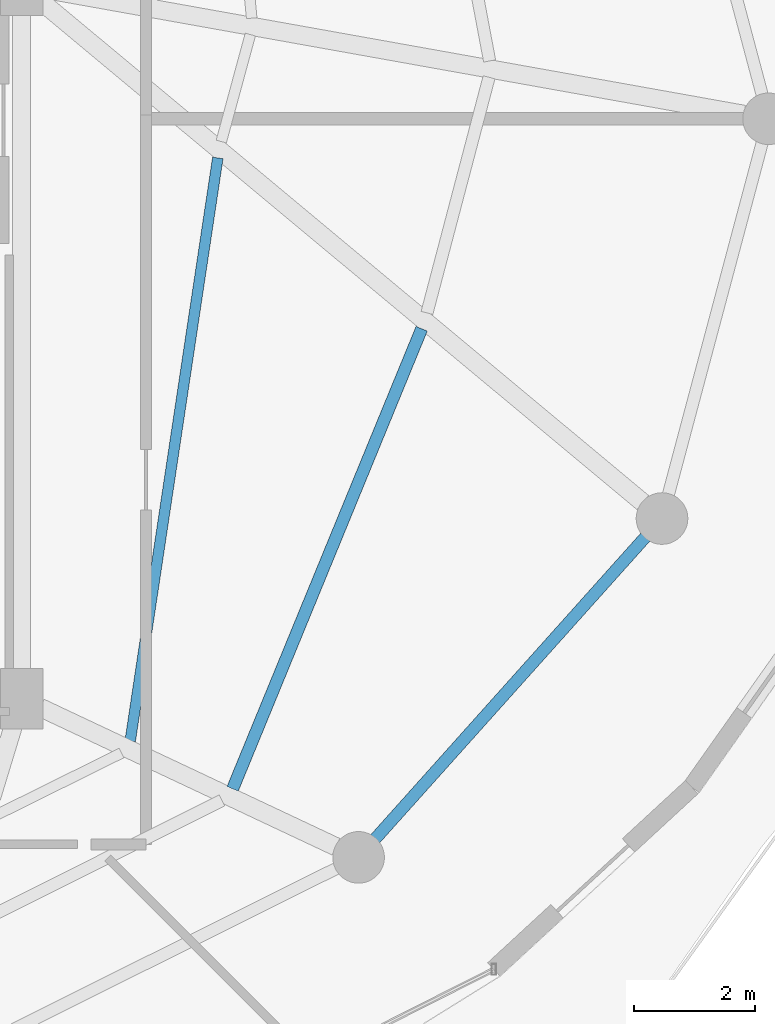
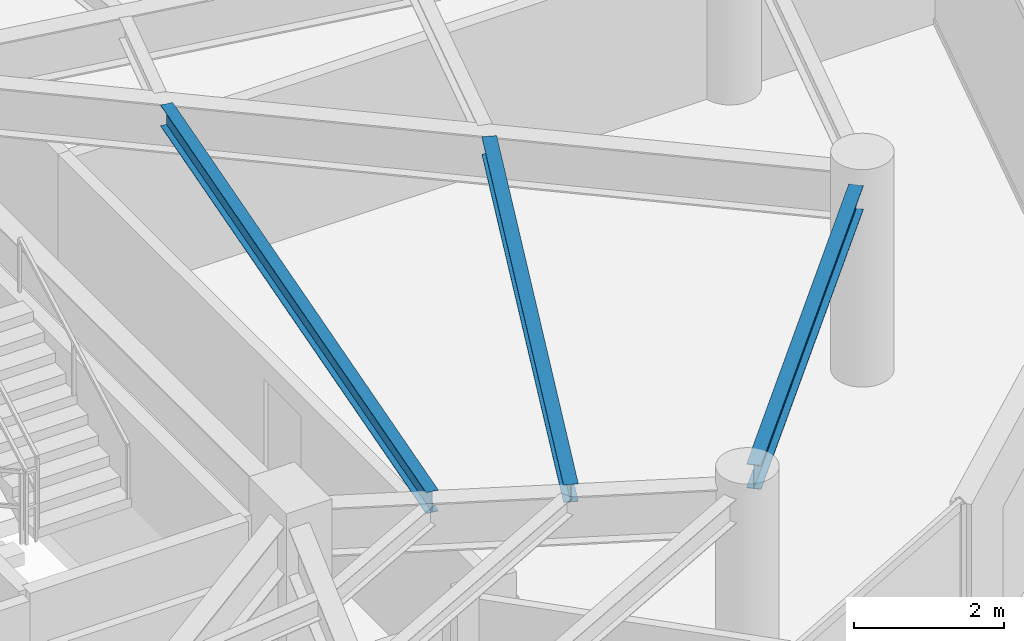
# One storey, part 12 of 29: 3 beams.
"""IFC4 building model written with IfcOpenShell, lengths in metres."""

from ifc_helpers import new_model, si_unit, direction, frame, origin, origin_2d, place, context, subcontext, project, spatial, i_section, extrude, material, material_profile, profile_set, type_object, element, save


model = new_model("IFC4")

# Units and contexts
model_context = context("Model", 3, precision=1e-05, world=origin(), true_north=direction((0.0, 1.0)))
body_context = subcontext(model_context, "Body", "Model", "MODEL_VIEW")
ifc_project = project(units=[si_unit("LENGTHUNIT", "METRE"), si_unit("AREAUNIT", "SQUARE_METRE"), si_unit("VOLUMEUNIT", "CUBIC_METRE"), si_unit("PLANEANGLEUNIT", "RADIAN"), si_unit("MASSUNIT", "GRAM", prefix="KILO")], contexts=[model_context])

# Site, building, storey
site_placement = place(None, origin())
site = spatial("IfcSite", under=ifc_project, at=site_placement, CompositionType="ELEMENT")
building_placement = place(site_placement, origin())
building = spatial("IfcBuilding", under=site, at=building_placement, Name="Vorneva Point Tower", CompositionType="ELEMENT")
storey_placement = place(building_placement, frame((0.0, 0.0, 273.300048828125)))
storey = spatial("IfcBuildingStorey", under=building, at=storey_placement, Name="L74", CompositionType="ELEMENT", Elevation=273.300048828125)

# Beams
ifc_material = material(Name="Steel S355", Category="steel")
ifc_material_profile_1 = material_profile(ifc_material, i_section(OverallWidth=0.199951171875, OverallDepth=0.291015625, WebThickness=0.008056640625, FlangeThickness=0.010986328125, at=origin_2d()), Name="30Sh1")
ifc_profile_set_1 = profile_set([ifc_material_profile_1], Name="Steel S355")
beam_type_1 = type_object("IfcBeamType", Name="BM-SEC-30Sh1", PredefinedType="BEAM", material=ifc_profile_set_1)
beam_1_placement = place(storey_placement, frame((52.22509765625, 14.96630859375, 3.14453125), z_axis=(0.380013584787, 0.924980905412, 0.0), x_axis=(-0.924980905412, 0.380013584787, 0.0)))
element("IfcBeam", 1, at=beam_1_placement, inside=storey, type_object=beam_type_1, Name="L74 Secondary Floor Beam 1.15", PredefinedType="BEAM", context=body_context, shape_type="SweptSolid", body=[
    extrude(i_section(OverallWidth=0.199951171875, OverallDepth=0.291015625, WebThickness=0.008056640625, FlangeThickness=0.010986328125, at=origin_2d()), origin(), (0.0, 0.0, 1.0), 8.190673828125),
])
ifc_material_profile_2 = material_profile(ifc_material, i_section(OverallWidth=0.174072265625, OverallDepth=0.345947265625, WebThickness=0.006103515625, FlangeThickness=0.009033203125, at=origin_2d()), Name="35B1")
ifc_profile_set_2 = profile_set([ifc_material_profile_2], Name="Steel S355")
beam_type_2 = type_object("IfcBeamType", Name="BM-SEC-35B1", PredefinedType="BEAM", material=ifc_profile_set_2)
beam_2_placement = place(storey_placement, frame((50.538330078125, 15.754150390625, 3.116943359375), z_axis=(0.148556856511, 0.98890386812, 0.0), x_axis=(-0.98890386812, 0.148556856511, 0.0)))
element("IfcBeam", 2, at=beam_2_placement, inside=storey, type_object=beam_type_2, Name="L74 Secondary Floor Beam 2.15", PredefinedType="BEAM", context=body_context, shape_type="SweptSolid", body=[
    extrude(i_section(OverallWidth=0.174072265625, OverallDepth=0.345947265625, WebThickness=0.006103515625, FlangeThickness=0.009033203125, at=origin_2d()), origin(), (0.0, 0.0, 1.0), 9.709228515625),
])
ifc_material_profile_3 = material_profile(ifc_material, i_section(OverallWidth=0.198974609375, OverallDepth=0.39599609375, WebThickness=0.007080078125, FlangeThickness=0.010986328125, at=origin_2d()), Name="40B1")
ifc_profile_set_3 = profile_set([ifc_material_profile_3], Name="Steel S355")
beam_type_3 = type_object("IfcBeamType", Name="BM-SPN-40B1", PredefinedType="SPANDREL", material=ifc_profile_set_3)
beam_3_placement = place(storey_placement, frame((54.572265625, 14.143310546875, 3.092041015625), z_axis=(0.667108282638, 0.744960763554, 0.0), x_axis=(-0.744960763554, 0.667108282638, 0.0)))
element("IfcBeam", 3, at=beam_3_placement, inside=storey, type_object=beam_type_3, Name="L74 Perimeter Spandrel Ring Beam 15", PredefinedType="SPANDREL", context=body_context, shape_type="SweptSolid", body=[
    extrude(i_section(OverallWidth=0.198974609375, OverallDepth=0.39599609375, WebThickness=0.007080078125, FlangeThickness=0.010986328125, at=origin_2d()), origin(), (0.0, 0.0, 1.0), 6.670166015625),
])

save(model, "model.ifc")
